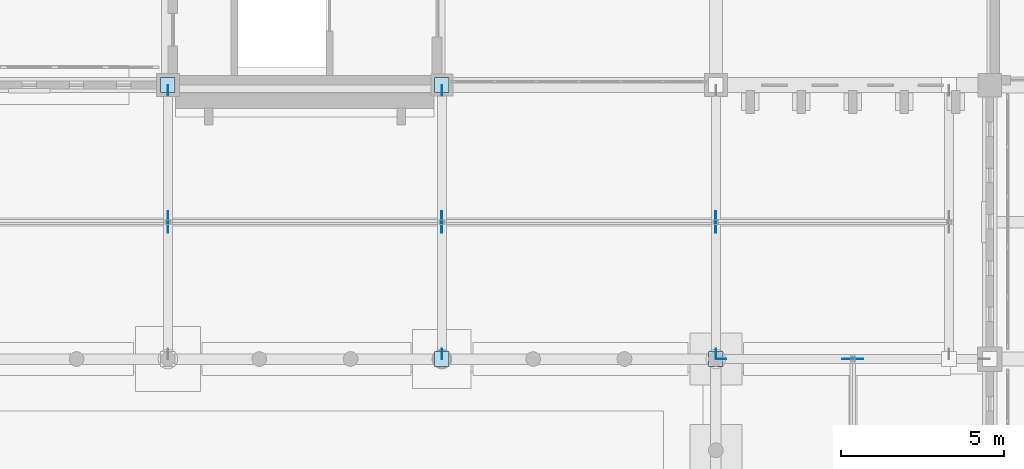
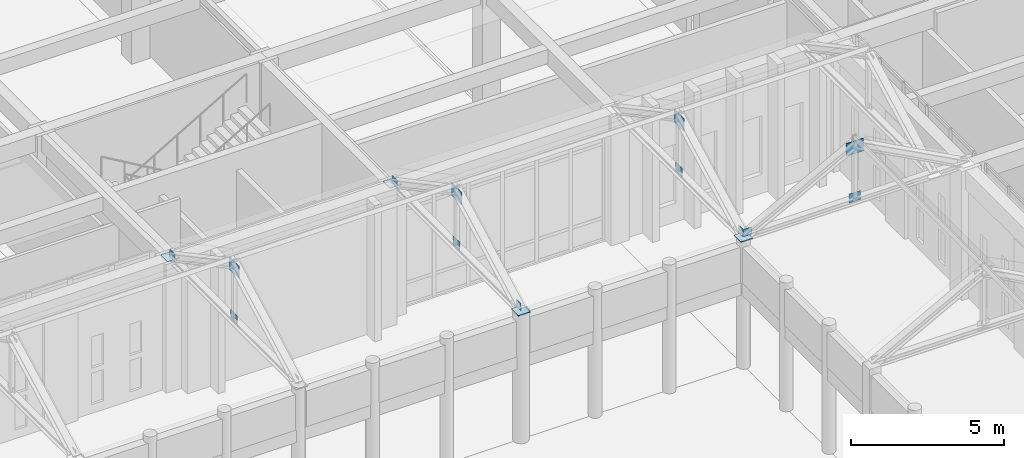
# One storey, part 105 of 143: 17 plates.
"""IFC4 building model written with IfcOpenShell, lengths in metres."""

import ifcopenshell
import ifcopenshell.guid

model = None  # the IFC model being written
_history = None  # IfcOwnerHistory: only IFC2X3 demands one
_inside = {}  # id of a spatial element -> (the spatial element, [elements in it])
_under = {}  # id of a project, library or spatial element -> (it, [spatial elements below it])
_declared = {}  # id of a project -> (the project, [libraries it declares])
_typed = {}  # id of a type object -> (the type object, [elements of that type])
_made_of = {}  # id of a material, layer set ... -> (it, [elements and type objects made of it])


def new_model(schema):
    """Start an empty IFC model of exactly this schema.

    Asked for "IFC4X3", IfcOpenShell would pick the latest addendum, in which some entities
    have other attributes; the version numbers below select the first issue.
    IFC2X3 requires an IfcOwnerHistory on every rooted entity: one is made here for all.
    """
    global model, _history
    if schema == "IFC4X3":
        model = ifcopenshell.file(schema_version=(4, 3, 0, 0))
    else:
        model = ifcopenshell.file(schema=schema)
    _inside.clear()
    _under.clear()
    _declared.clear()
    _typed.clear()
    _made_of.clear()
    _history = None
    if model.schema == "IFC2X3":
        org = make("IfcOrganization", Name="unknown")
        user = make(
            "IfcPersonAndOrganization",
            ThePerson=make("IfcPerson", FamilyName="unknown"),
            TheOrganization=org,
        )
        app = make(
            "IfcApplication",
            ApplicationDeveloper=org,
            Version="unknown",
            ApplicationFullName="unknown",
            ApplicationIdentifier="unknown",
        )
        _history = make(
            "IfcOwnerHistory",
            OwningUser=user,
            OwningApplication=app,
            ChangeAction="ADDED",
            CreationDate=0,
        )
    return model


def make(cls, **values):
    """One entity of the class cls with the attributes given. An attribute that is None is left unset."""
    return model.create_entity(
        cls, **{name: value for name, value in values.items() if value is not None}
    )


def rooted(cls, **values):
    """An entity with a GlobalId (a new one), such as an element, a storey or a relation."""
    return make(cls, GlobalId=ifcopenshell.guid.new(), OwnerHistory=_history, **values)


def si_unit(unit_type, name, prefix=None):
    """IfcSIUnit, for example si_unit("LENGTHUNIT", "METRE", prefix="MILLI")."""
    return make("IfcSIUnit", UnitType=unit_type, Prefix=prefix, Name=name)


def assignment(units):
    """IfcUnitAssignment: the units of a project."""
    return None if units is None else make("IfcUnitAssignment", Units=units)


def point(xyz):
    """IfcCartesianPoint."""
    return None if xyz is None else make("IfcCartesianPoint", Coordinates=xyz)


def direction(xyz):
    """IfcDirection."""
    return None if xyz is None else make("IfcDirection", DirectionRatios=xyz)


def frame(location, z_axis=None, x_axis=None):
    """IfcAxis2Placement3D, a coordinate frame: its origin and axes. An axis left out is left unset."""
    return make(
        "IfcAxis2Placement3D",
        Location=point(location),
        Axis=direction(z_axis),
        RefDirection=direction(x_axis),
    )


def frame_2d(location, x_axis=None):
    """IfcAxis2Placement2D, a coordinate frame in the plane: its origin and x axis."""
    return make(
        "IfcAxis2Placement2D", Location=point(location), RefDirection=direction(x_axis)
    )


def origin():
    """The frame at (0, 0, 0) with its axes left unset."""
    return frame((0.0, 0.0, 0.0))


def origin_2d():
    """The frame at (0, 0) in the plane with its x axis left unset."""
    return frame_2d((0.0, 0.0))


def place(relative_to, where):
    """IfcLocalPlacement: puts the frame where relative to a parent placement (None: the world)."""
    return make(
        "IfcLocalPlacement", PlacementRelTo=relative_to, RelativePlacement=where
    )


def context(
    kind, dimensions, precision=None, world=None, true_north=None, identifier=None
):
    """IfcGeometricRepresentationContext, for example the 3D "Model" context."""
    return make(
        "IfcGeometricRepresentationContext",
        ContextIdentifier=identifier,
        ContextType=kind,
        CoordinateSpaceDimension=dimensions,
        Precision=precision,
        WorldCoordinateSystem=world,
        TrueNorth=true_north,
    )


def subcontext(parent, identifier, kind, view, scale=None):
    """IfcGeometricRepresentationSubContext, for example "Body" below "Model"."""
    return make(
        "IfcGeometricRepresentationSubContext",
        ContextIdentifier=identifier,
        ContextType=kind,
        ParentContext=parent,
        TargetScale=scale,
        TargetView=view,
    )


def project(units=None, contexts=None):
    """IfcProject with its units and contexts."""
    return rooted(
        "IfcProject",
        Name="project",
        RepresentationContexts=contexts,
        UnitsInContext=assignment(units),
    )


def spatial(cls, under=None, at=None, **own):
    """A site, building, storey or space (cls), placed at a placement, below another one or the project."""
    s = rooted(cls, ObjectPlacement=at, **own)
    if under is not None:
        _under.setdefault(under.id(), (under, []))[1].append(s)
    return s


def profile(cls, at=None, kind="AREA", **sizes):
    """A parametric profile (cls). Its sizes go by their IFC names, for example OverallWidth=200.0."""
    return make(cls, ProfileType=kind, Position=at, **sizes)


def rectangle(**sizes):
    """IfcRectangleProfileDef."""
    return profile("IfcRectangleProfileDef", **sizes)


def extrude(swept, where, along, depth):
    """IfcExtrudedAreaSolid: the profile swept, set in the frame where, extruded along a direction by depth."""
    return make(
        "IfcExtrudedAreaSolid",
        SweptArea=swept,
        Position=where,
        ExtrudedDirection=direction(along),
        Depth=depth,
    )


def shape(context_of_items, identifier, shape_type, items):
    """IfcShapeRepresentation: the items that make up one representation, for example the "Body"."""
    return make(
        "IfcShapeRepresentation",
        ContextOfItems=context_of_items,
        RepresentationIdentifier=identifier,
        RepresentationType=shape_type,
        Items=items,
    )


def material(Name=None, Category=None):
    """IfcMaterial."""
    return make("IfcMaterial", Name=Name, Category=Category)


def layer(
    of_material, thickness, ventilated=None, Name=None, Category=None, Priority=None
):
    """IfcMaterialLayer: one layer of a wall or slab, of a material (None: an air gap)."""
    return make(
        "IfcMaterialLayer",
        Material=of_material,
        LayerThickness=thickness,
        IsVentilated=ventilated,
        Name=Name,
        Category=Category,
        Priority=Priority,
    )


def layer_set(layers, Name=None):
    """IfcMaterialLayerSet."""
    return make("IfcMaterialLayerSet", MaterialLayers=layers, LayerSetName=Name)


def made_of(thing, what):
    """Note that an element or type object is made of a material, layer set ...; save() writes the relation."""
    if what is not None:
        _made_of.setdefault(what.id(), (what, []))[1].append(thing)
    return thing


def type_object(cls, material=None, **own):
    """A type object (cls), such as IfcWallType, which elements share."""
    return made_of(rooted(cls, **own), material)


def element(
    cls,
    number,
    at=None,
    inside=None,
    cuts=None,
    type_object=None,
    material=None,
    context=None,
    identifier="Body",
    shape_type=None,
    held_by="IfcProductDefinitionShape",
    body=None,
    shapes=None,
    **own,
):
    """One element of the class cls, such as IfcWall. Its Tag is "e" and its number.

    at: its placement. inside: the storey or other place that contains it. cuts: it is an
    opening in that element (IfcRelVoidsElement). A single representation is given by context,
    identifier, shape_type and body (its items); several are given by shapes. held_by: the class
    of the entity that holds the representations. save() writes the other relations.
    """
    e = rooted(cls, Tag="e%d" % number, ObjectPlacement=at, **own)
    if body is not None:
        shapes = [shape(context, identifier, shape_type, body)]
    if shapes is not None:
        e.Representation = make(held_by, Representations=shapes)
    if inside is not None:
        _inside.setdefault(inside.id(), (inside, []))[1].append(e)
    if cuts is not None:
        rooted(
            "IfcRelVoidsElement", RelatingBuildingElement=cuts, RelatedOpeningElement=e
        )
    if type_object is not None:
        _typed.setdefault(type_object.id(), (type_object, []))[1].append(e)
    return made_of(e, material)


def aggregate(whole, parts):
    """IfcRelAggregates: a whole, such as a stair, and the parts it consists of."""
    return rooted("IfcRelAggregates", RelatingObject=whole, RelatedObjects=parts)


def save(model, path):
    """Write the relations noted so far, then the file.

    IfcRelAggregates (storeys below a building ...), IfcRelContainedInSpatialStructure (elements
    in a storey), IfcRelDefinesByType, IfcRelAssociatesMaterial and IfcRelDeclares: one each for
    every whole, place, type object, material and project.
    """
    for whole, parts in _under.values():
        aggregate(whole, parts)
    for where, things in _inside.values():
        rooted(
            "IfcRelContainedInSpatialStructure",
            RelatedElements=things,
            RelatingStructure=where,
        )
    for kind, things in _typed.values():
        rooted("IfcRelDefinesByType", RelatedObjects=things, RelatingType=kind)
    for what, things in _made_of.values():
        rooted("IfcRelAssociatesMaterial", RelatedObjects=things, RelatingMaterial=what)
    for by, libraries in _declared.values():
        rooted("IfcRelDeclares", RelatingContext=by, RelatedDefinitions=libraries)
    model.write(path)


model = new_model("IFC4")

# Units and contexts
model_context = context("Model", 3, precision=1e-05, world=origin(), true_north=direction((0.0, 1.0)))
body_context = subcontext(model_context, "Body", "Model", "MODEL_VIEW")
ifc_project = project(units=[si_unit("LENGTHUNIT", "METRE"), si_unit("AREAUNIT", "SQUARE_METRE"), si_unit("VOLUMEUNIT", "CUBIC_METRE"), si_unit("PLANEANGLEUNIT", "RADIAN"), si_unit("MASSUNIT", "GRAM", prefix="KILO")], contexts=[model_context])

# Site, building, storey
site_placement = place(None, origin())
site = spatial("IfcSite", under=ifc_project, at=site_placement, CompositionType="ELEMENT")
building_placement = place(site_placement, origin())
building = spatial("IfcBuilding", under=site, at=building_placement, Name="Kveldsbrygga Polytechnic", CompositionType="ELEMENT")
storey_placement = place(building_placement, origin())
storey = spatial("IfcBuildingStorey", under=building, at=storey_placement, Name="L00", CompositionType="ELEMENT", Elevation=0.0)

# Plates
ifc_material = material(Name="Steel S355", Category="steel")
ifc_layer_1 = layer(ifc_material, 0.030029296875)
ifc_layer_set_1 = layer_set([ifc_layer_1], Name="Steel S355")
plate_type_1 = type_object("IfcPlateType", Name="CAP-BEAR-450", PredefinedType="SHEET", material=ifc_layer_set_1)
for number, where, z_axis, x_axis, name in (
    (1, (100.800048828125, 84.0, 5.10986328125), (0.0, 0.0, 1.0), (1.0, 0.0, 0.0), "Truss Bearing Plate ARC-EN-T04-B"),
    (2, (109.199951171875, 75.60009765625, 5.10986328125), (0.0, 0.0, 1.0), (1.0, 0.0, 0.0), "Truss Bearing Plate ARC-EN-T05-A"),
    (3, (109.199951171875, 84.0, 5.10986328125), (0.0, 0.0, 1.0), (1.0, 0.0, 0.0), "Truss Bearing Plate ARC-EN-T05-B"),
    (4, (117.60009765625, 75.60009765625, 5.10986328125), (0.0, 0.0, 1.0), (1.0, 0.0, 0.0), "Truss Bearing Plate ARC-EN-T06-A"),
):
    element("IfcPlate", number, at=place(storey_placement, frame(where, z_axis=z_axis, x_axis=x_axis)), inside=storey, type_object=plate_type_1, Name=name, PredefinedType="SHEET", context=body_context, shape_type="SweptSolid", body=[
        extrude(rectangle(XDim=0.449951171875, YDim=0.449951171875, at=origin_2d()), origin(), (0.0, 0.0, 1.0), 0.030029296875),
    ])
ifc_layer_2 = layer(ifc_material, 0.02490234375)
ifc_layer_set_2 = layer_set([ifc_layer_2], Name="Steel S355")
plate_type_2 = type_object("IfcPlateType", Name="GUS-APEX-650", PredefinedType="SHEET", material=ifc_layer_set_2)
for number, where, z_axis, x_axis, name in (
    (5, (100.800048828125, 79.800048828125, 6.989990234375), (0.0, 0.0, 1.0), (1.0, 0.0, 0.0), "Truss Gusset Plate ARC-EN-T04-GP-1"),
    (6, (109.199951171875, 79.800048828125, 6.989990234375), (0.0, 0.0, 1.0), (1.0, 0.0, 0.0), "Truss Gusset Plate ARC-EN-T05-GP-1"),
    (7, (117.60009765625, 79.800048828125, 6.989990234375), (0.0, 0.0, 1.0), (1.0, 0.0, 0.0), "Truss Gusset Plate ARC-EN-T06-GP-1"),
):
    element("IfcPlate", number, at=place(storey_placement, frame(where, z_axis=z_axis, x_axis=x_axis)), inside=storey, type_object=plate_type_2, Name=name, PredefinedType="SHEET", context=body_context, shape_type="SweptSolid", body=[
        extrude(rectangle(XDim=0.02490234375, YDim=0.64990234375, at=origin_2d()), origin(), (0.0, 0.0, 1.0), 0.5),
    ])
plate_1_placement = place(storey_placement, frame((121.800048828125, 75.60009765625, 6.989990234375), z_axis=(0.0, 0.0, 1.0), x_axis=(1.0, 0.0, 0.0)))
element("IfcPlate", 8, at=plate_1_placement, inside=storey, type_object=plate_type_2, Name="Truss Gusset Plate ARC-EE-T06-GP-1", PredefinedType="SHEET", context=body_context, shape_type="SweptSolid", body=[
    extrude(rectangle(XDim=0.64990234375, YDim=0.02490234375, at=origin_2d()), origin(), (0.0, 0.0, 1.0), 0.5),
])
ifc_layer_3 = layer(ifc_material, 0.01806640625)
ifc_layer_set_3 = layer_set([ifc_layer_3], Name="Steel S355")
plate_type_3 = type_object("IfcPlateType", Name="GUS-BRACE-320", PredefinedType="SHEET", material=ifc_layer_set_3)
for number, where, z_axis, x_axis, name in (
    (9, (100.800048828125, 83.840087890625, 5.10009765625), (0.0, 0.0, 1.0), (1.0, 0.0, 0.0), "Truss Eaves Node Gusset ARC-EN-T04-EGP-B"),
    (10, (109.199951171875, 75.760009765625, 5.10009765625), (0.0, 0.0, 1.0), (1.0, 0.0, 0.0), "Truss Eaves Node Gusset ARC-EN-T05-EGP-A"),
    (11, (109.199951171875, 83.840087890625, 5.10009765625), (0.0, 0.0, 1.0), (1.0, 0.0, 0.0), "Truss Eaves Node Gusset ARC-EN-T05-EGP-B"),
    (12, (117.60009765625, 75.760009765625, 5.10009765625), (0.0, 0.0, 1.0), (1.0, 0.0, 0.0), "Truss Eaves Node Gusset ARC-EN-T06-EGP-A"),
):
    element("IfcPlate", number, at=place(storey_placement, frame(where, z_axis=z_axis, x_axis=x_axis)), inside=storey, type_object=plate_type_3, Name=name, PredefinedType="SHEET", context=body_context, shape_type="SweptSolid", body=[
        extrude(rectangle(XDim=0.01806640625, YDim=0.320068359375, at=origin_2d()), origin(), (0.0, 0.0, 1.0), 0.320068359375),
    ])
plate_2_placement = place(storey_placement, frame((117.760009765625, 75.60009765625, 5.10009765625), z_axis=(0.0, 0.0, 1.0), x_axis=(1.0, 0.0, 0.0)))
element("IfcPlate", 13, at=plate_2_placement, inside=storey, type_object=plate_type_3, Name="Truss Eaves Node Gusset ARC-EE-T06-EGP-A", PredefinedType="SHEET", context=body_context, shape_type="SweptSolid", body=[
    extrude(rectangle(XDim=0.320068359375, YDim=0.01806640625, at=origin_2d()), origin(), (0.0, 0.0, 1.0), 0.320068359375),
])
ifc_layer_4 = layer(ifc_material, 0.02001953125)
ifc_layer_set_4 = layer_set([ifc_layer_4], Name="Steel S355")
plate_type_4 = type_object("IfcPlateType", Name="GUS-LECT-420", PredefinedType="SHEET", material=ifc_layer_set_4)
for number, where, z_axis, x_axis, name in (
    (14, (100.800048828125, 79.800048828125, 5.0849609375), (0.0, 0.0, 1.0), (1.0, 0.0, 0.0), "Truss Bottom-Chord Node Gusset ARC-EN-T04-BGP-1"),
    (15, (109.199951171875, 79.800048828125, 5.0849609375), (0.0, 0.0, 1.0), (1.0, 0.0, 0.0), "Truss Bottom-Chord Node Gusset ARC-EN-T05-BGP-1"),
    (16, (117.60009765625, 79.800048828125, 5.0849609375), (0.0, 0.0, 1.0), (1.0, 0.0, 0.0), "Truss Bottom-Chord Node Gusset ARC-EN-T06-BGP-1"),
):
    element("IfcPlate", number, at=place(storey_placement, frame(where, z_axis=z_axis, x_axis=x_axis)), inside=storey, type_object=plate_type_4, Name=name, PredefinedType="SHEET", context=body_context, shape_type="SweptSolid", body=[
        extrude(rectangle(XDim=0.02001953125, YDim=0.419921875, at=origin_2d()), origin(), (0.0, 0.0, 1.0), 0.35009765625),
    ])
plate_3_placement = place(storey_placement, frame((121.800048828125, 75.60009765625, 5.0849609375), z_axis=(0.0, 0.0, 1.0), x_axis=(1.0, 0.0, 0.0)))
element("IfcPlate", 17, at=plate_3_placement, inside=storey, type_object=plate_type_4, Name="Truss Bottom-Chord Node Gusset ARC-EE-T06-BGP-1", PredefinedType="SHEET", context=body_context, shape_type="SweptSolid", body=[
    extrude(rectangle(XDim=0.419921875, YDim=0.02001953125, at=origin_2d()), origin(), (0.0, 0.0, 1.0), 0.35009765625),
])

save(model, "model.ifc")
